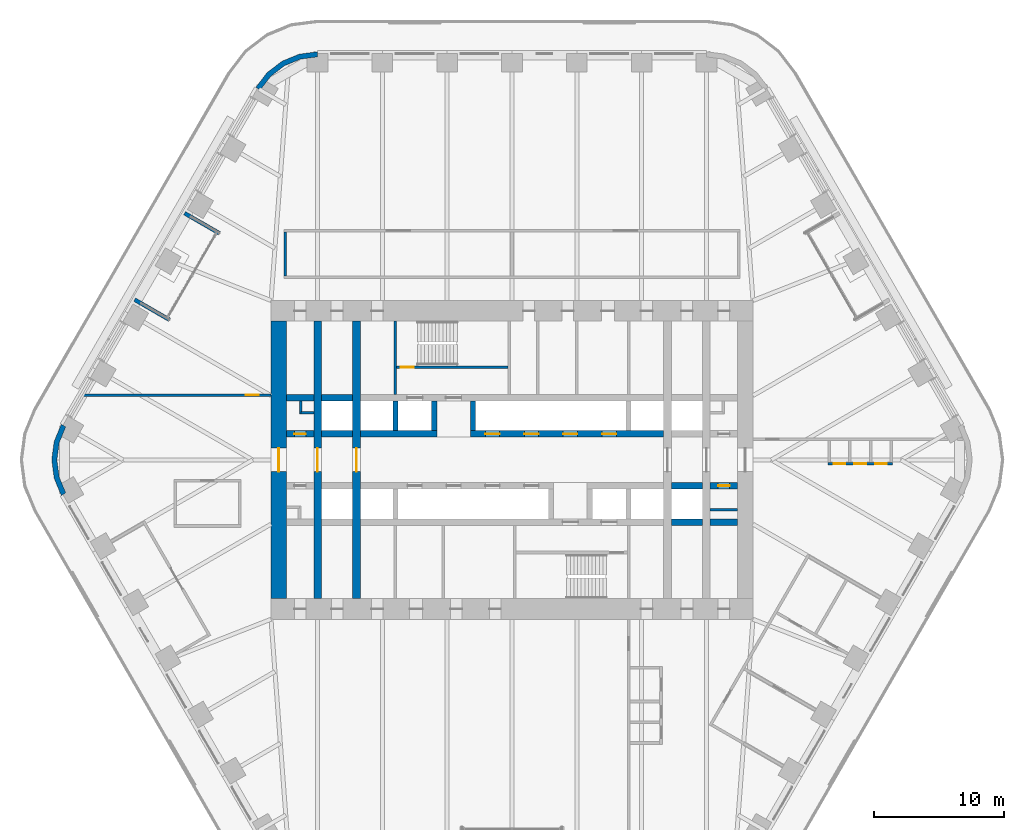
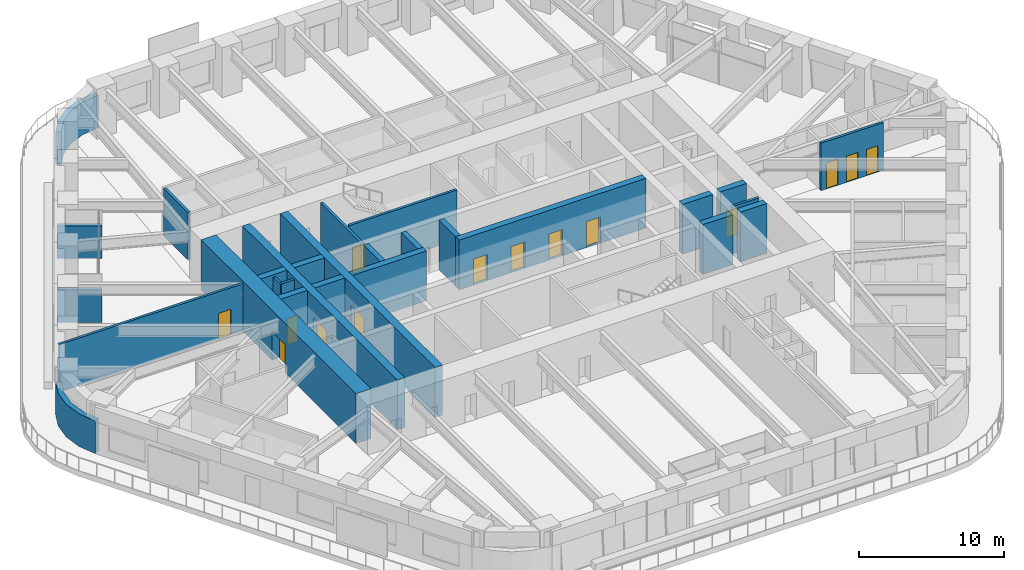
# One storey, part 19 of 24: 28 walls, 14 doors, 14 openings.
"""IFC4 building model written with IfcOpenShell, lengths in metres."""

from ifc_helpers import new_model, si_unit, direction, frame, frame_2d, origin, place, context, subcontext, project, spatial, polyline, rectangle, outline, extrude, material, layer, layer_set, type_object, element, fill, save


model = new_model("IFC4")

# Units and contexts
model_context = context("Model", 3, precision=1e-05, world=origin(), true_north=direction((0.0, 1.0)))
body_context = subcontext(model_context, "Body", "Model", "MODEL_VIEW")
ifc_project = project(units=[si_unit("LENGTHUNIT", "METRE"), si_unit("AREAUNIT", "SQUARE_METRE"), si_unit("VOLUMEUNIT", "CUBIC_METRE"), si_unit("PLANEANGLEUNIT", "RADIAN"), si_unit("MASSUNIT", "GRAM", prefix="KILO")], contexts=[model_context])

# Site, building, storey
site_placement = place(None, origin())
site = spatial("IfcSite", under=ifc_project, at=site_placement, CompositionType="ELEMENT")
building_placement = place(site_placement, origin())
building = spatial("IfcBuilding", under=site, at=building_placement, Name="Tarfa Lantern Tower", CompositionType="ELEMENT")
storey_placement = place(building_placement, frame((0.0, 0.0, 165.699951171875)))
storey = spatial("IfcBuildingStorey", under=building, at=storey_placement, Name="L37", CompositionType="ELEMENT", Elevation=165.699951171875)

# Walls
ifc_material_1 = material(Name="Limestone cladding on blockwork", Category="masonry")
ifc_layer_1 = layer(ifc_material_1, 0.300048828125)
ifc_layer_set_1 = layer_set([ifc_layer_1], Name="EW1 STONE-CLAD WALL 300")
wall_type_1 = type_object("IfcWallType", Name="EW1 STONE-CLAD WALL 300", PredefinedType="SOLIDWALL", material=ifc_layer_set_1)
wall_1_placement = place(storey_placement, frame((-25.266357421875, 19.037353515625, 0.0), z_axis=(0.0, 0.0, 1.0), x_axis=(0.86600983753, -0.500026960575, 0.0)))
element("IfcWall", 1, at=wall_1_placement, inside=storey, type_object=wall_type_1, Name="Loggia return NW 1", PredefinedType="SOLIDWALL", context=body_context, shape_type="SweptSolid", body=[
    extrude(rectangle(XDim=3.099853515625, YDim=0.300048828125, at=frame_2d((1.5498046875, 0.0))), origin(), (0.0, 0.0, 1.0), 2.75),
])
wall_2_placement = place(storey_placement, frame((-29.1201171875, 12.362548828125, 0.0), z_axis=(0.0, 0.0, 1.0), x_axis=(0.86602952684, -0.49999285859, 0.0)))
element("IfcWall", 2, at=wall_2_placement, inside=storey, type_object=wall_type_1, Name="Loggia return NW 2", PredefinedType="SOLIDWALL", context=body_context, shape_type="SweptSolid", body=[
    extrude(rectangle(XDim=3.10009765625, YDim=0.300048828125, at=frame_2d((1.550048828125, 0.0))), origin(), (0.0, 0.0, 1.0), 2.75),
])
ifc_layer_2 = layer(ifc_material_1, 0.39990234375)
ifc_layer_set_2 = layer_set([ifc_layer_2], Name="EW2 CURVED STONE CORNER 400")
wall_type_2 = type_object("IfcWallType", Name="EW2 CURVED STONE CORNER 400", PredefinedType="SOLIDWALL", material=ifc_layer_set_2)
wall_3_placement = place(storey_placement, origin())
element("IfcWall", 3, at=wall_3_placement, inside=storey, type_object=wall_type_2, Name="Stone corner N-NW", PredefinedType="SOLIDWALL", context=body_context, shape_type="SweptSolid", body=[
    extrude(outline(polyline([(-15.010986328125, 31.5), (-16.4345703125, 31.3125), (-17.760986328125, 30.76318359375), (-18.900146484375, 29.88916015625), (-19.774169921875, 28.75), (-19.427734375, 28.550048828125), (-18.617431640625, 29.606201171875), (-17.56103515625, 30.416748046875), (-16.3310546875, 30.92626953125), (-15.010986328125, 31.10009765625), (-15.010986328125, 31.5)])), origin(), (0.0, 0.0, 1.0), 2.75),
])
wall_4_placement = place(storey_placement, origin())
element("IfcWall", 4, at=wall_4_placement, inside=storey, type_object=wall_type_2, Name="Stone corner NW-SW", PredefinedType="SOLIDWALL", context=body_context, shape_type="SweptSolid", body=[
    extrude(outline(polyline([(-34.785400390625, 2.75), (-35.334716796875, 1.423583984375), (-35.522216796875, 0.0), (-35.334716796875, -1.423583984375), (-34.785400390625, -2.75), (-34.43896484375, -2.550048828125), (-34.948486328125, -1.320068359375), (-35.122314453125, 0.0), (-34.948486328125, 1.320068359375), (-34.43896484375, 2.550048828125), (-34.785400390625, 2.75)])), origin(), (0.0, 0.0, 1.0), 2.75),
])
ifc_material_2 = material(Name="Concrete blockwork", Category="masonry")
ifc_layer_3 = layer(ifc_material_2, 0.199951171875)
ifc_layer_set_3 = layer_set([ifc_layer_3], Name="IW1 BLOCKWORK PARTITION 200 EI 120")
wall_type_3 = type_object("IfcWallType", Name="IW1 BLOCKWORK PARTITION 200 EI 120", PredefinedType="PARTITIONING", material=ifc_layer_set_3)
wall_5_placement = place(storey_placement, frame((-9.0, 5.050048828125, 0.0), z_axis=(0.0, 0.0, 1.0), x_axis=(0.0, 1.0, 0.0)))
element("IfcWall", 5, at=wall_5_placement, inside=storey, type_object=wall_type_3, Name="Core partition", PredefinedType="PARTITIONING", context=body_context, shape_type="SweptSolid", body=[
    extrude(rectangle(XDim=5.64990234375, YDim=0.199951171875, at=frame_2d((2.824951171875, 0.0))), origin(), (0.0, 0.0, 1.0), 4.0),
])
for number, where, z_axis, x_axis, name in (
    (6, (-16.300048828125, 3.64990234375, 0.0), (0.0, 0.0, 1.0), (1.0, 0.0, 0.0), "Core partition"),
    (7, (-16.300048828125, 3.550048828125, 0.0), (0.0, 0.0, 1.0), (0.0, 1.0, 0.0), "Core partition"),
):
    element("IfcWall", number, at=place(storey_placement, frame(where, z_axis=z_axis, x_axis=x_axis)), inside=storey, type_object=wall_type_3, Name=name, PredefinedType="PARTITIONING", context=body_context, shape_type="SweptSolid", body=[
        extrude(rectangle(XDim=1.0, YDim=0.199951171875, at=frame_2d((0.5, 0.0))), origin(), (0.0, 0.0, 1.0), 4.0),
    ])
wall_6_placement = place(storey_placement, frame((17.39990234375, -3.85009765625, 0.0), z_axis=(0.0, 0.0, 1.0), x_axis=(-1.0, 0.0, 0.0)))
element("IfcWall", 8, at=wall_6_placement, inside=storey, type_object=wall_type_3, Name="Core partition", PredefinedType="PARTITIONING", context=body_context, shape_type="SweptSolid", body=[
    extrude(rectangle(XDim=2.099853515625, YDim=0.199951171875, at=frame_2d((1.0498046875, 0.0))), origin(), (0.0, 0.0, 1.0), 4.0),
])
ifc_material_3 = material(Name="Gypsum board on steel studs", Category="steel")
ifc_layer_4 = layer(ifc_material_3, 0.2099609375)
ifc_layer_set_4 = layer_set([ifc_layer_4], Name="IW2 ACOUSTIC PARTITION 200")
wall_type_4 = type_object("IfcWallType", Name="IW2 ACOUSTIC PARTITION 200", PredefinedType="PARTITIONING", material=ifc_layer_set_4)
wall_7_placement = place(storey_placement, frame((-17.5, 14.199951171875, 0.0), z_axis=(0.0, 0.0, 1.0), x_axis=(0.0, 1.0, 0.0)))
element("IfcWall", 9, at=wall_7_placement, inside=storey, type_object=wall_type_4, Name="Partition", PredefinedType="PARTITIONING", context=body_context, shape_type="SweptSolid", body=[
    extrude(rectangle(XDim=3.400146484375, YDim=0.199951171875, at=frame_2d((1.7001953125, 0.0))), origin(), (0.0, 0.0, 1.0), 4.0),
])

# Wall, opening, door
wall_8_placement = place(storey_placement, frame((-18.60009765625, 5.0, 0.0), z_axis=(0.0, 0.0, 1.0), x_axis=(-1.0, 0.0, 0.0)))
wall_8 = element("IfcWall", 10, at=wall_8_placement, inside=storey, type_object=wall_type_4, Name="Partition", PredefinedType="PARTITIONING", context=body_context, shape_type="SweptSolid", body=[
    extrude(rectangle(XDim=14.632080078125, YDim=0.199951171875, at=frame_2d((7.31591796875, 0.0))), origin(), (0.0, 0.0, 1.0), 4.0),
])
opening_1_placement = place(wall_8_placement, frame((0.963134765625, 0.0, 0.0)))
opening_1 = element("IfcOpeningElement", 11, at=opening_1_placement, cuts=wall_8, Name="Opening D49", PredefinedType="OPENING", context=body_context, shape_type="SweptSolid", body=[
    extrude(rectangle(XDim=1.0, YDim=2.199951171875, at=frame_2d((0.5, 1.10009765625))), frame((0.0, 0.10986328125, 0.0), z_axis=(0.0, -1.0, 0.0), x_axis=(1.0, 0.0, 0.0)), (0.0, 0.0, 1.0), 0.219970703125),
])
ifc_material_4 = material(Name="Timber door", Category="wood")
door_type_1 = type_object("IfcDoorType", Name="DR1 ROOM DOOR 1000x2200", OperationType="SINGLE_SWING_LEFT", PredefinedType="DOOR", material=ifc_material_4)
door_1_placement = place(opening_1_placement, origin())
door_1 = element("IfcDoor", 12, at=door_1_placement, inside=storey, type_object=door_type_1, Name="Zone door", OperationType="SINGLE_SWING_RIGHT", OverallHeight=2.199951171875, OverallWidth=1.0, PredefinedType="DOOR", context=body_context, shape_type="SweptSolid", body=[
    extrude(rectangle(XDim=1.0, YDim=2.199951171875, at=frame_2d((0.5, 1.10009765625))), frame((0.0, 0.02490234375, 0.0), z_axis=(0.0, -1.0, 0.0), x_axis=(1.0, 0.0, 0.0)), (0.0, 0.0, 1.0), 0.050048828125),
])
fill(opening_1, door_1)

# Wall, openings, doors
wall_9_placement = place(storey_placement, frame((24.3828125, -0.300048828125, 0.0), z_axis=(0.0, 0.0, 1.0), x_axis=(1.0, 0.0, 0.0)))
wall_9 = element("IfcWall", 13, at=wall_9_placement, inside=storey, type_object=wall_type_4, Name="Partition", PredefinedType="PARTITIONING", context=body_context, shape_type="SweptSolid", body=[
    extrude(rectangle(XDim=5.0, YDim=0.199951171875, at=frame_2d((2.5, 0.0))), origin(), (0.0, 0.0, 1.0), 4.0),
])
opening_2_placement = place(wall_9_placement, frame((0.449951171875, 0.0, 0.0)))
opening_2 = element("IfcOpeningElement", 14, at=opening_2_placement, cuts=wall_9, Name="Opening D44", PredefinedType="OPENING", context=body_context, shape_type="SweptSolid", body=[
    extrude(rectangle(XDim=0.89990234375, YDim=2.199951171875, at=frame_2d((0.449951171875, 1.10009765625))), frame((0.0, 0.10986328125, 0.0), z_axis=(0.0, -1.0, 0.0), x_axis=(1.0, 0.0, 0.0)), (0.0, 0.0, 1.0), 0.219970703125),
])
opening_3_placement = place(wall_9_placement, frame((2.050048828125, 0.0, 0.0)))
opening_3 = element("IfcOpeningElement", 15, at=opening_3_placement, cuts=wall_9, Name="Opening D45", PredefinedType="OPENING", context=body_context, shape_type="SweptSolid", body=[
    extrude(rectangle(XDim=0.89990234375, YDim=2.199951171875, at=frame_2d((0.449951171875, 1.10009765625))), frame((0.0, 0.10986328125, 0.0), z_axis=(0.0, -1.0, 0.0), x_axis=(1.0, 0.0, 0.0)), (0.0, 0.0, 1.0), 0.219970703125),
])
opening_4_placement = place(wall_9_placement, frame((3.64990234375, 0.0, 0.0)))
opening_4 = element("IfcOpeningElement", 16, at=opening_4_placement, cuts=wall_9, Name="Opening D46", PredefinedType="OPENING", context=body_context, shape_type="SweptSolid", body=[
    extrude(rectangle(XDim=0.89990234375, YDim=2.199951171875, at=frame_2d((0.449951171875, 1.10009765625))), frame((0.0, 0.10986328125, 0.0), z_axis=(0.0, -1.0, 0.0), x_axis=(1.0, 0.0, 0.0)), (0.0, 0.0, 1.0), 0.219970703125),
])
door_type_2 = type_object("IfcDoorType", Name="DR3 ROOM DOOR 900x2200", OperationType="SINGLE_SWING_LEFT", PredefinedType="DOOR", material=ifc_material_4)
door_2_placement = place(opening_2_placement, origin())
door_2 = element("IfcDoor", 17, at=door_2_placement, inside=storey, type_object=door_type_2, Name="Phone booth door", OperationType="SINGLE_SWING_RIGHT", OverallHeight=2.199951171875, OverallWidth=0.89990234375, PredefinedType="DOOR", context=body_context, shape_type="SweptSolid", body=[
    extrude(rectangle(XDim=0.89990234375, YDim=2.199951171875, at=frame_2d((0.449951171875, 1.10009765625))), frame((0.0, 0.02490234375, 0.0), z_axis=(0.0, -1.0, 0.0), x_axis=(1.0, 0.0, 0.0)), (0.0, 0.0, 1.0), 0.050048828125),
])
fill(opening_2, door_2)
door_3_placement = place(opening_3_placement, origin())
door_3 = element("IfcDoor", 18, at=door_3_placement, inside=storey, type_object=door_type_2, Name="Phone booth door", OperationType="SINGLE_SWING_RIGHT", OverallHeight=2.199951171875, OverallWidth=0.89990234375, PredefinedType="DOOR", context=body_context, shape_type="SweptSolid", body=[
    extrude(rectangle(XDim=0.89990234375, YDim=2.199951171875, at=frame_2d((0.449951171875, 1.10009765625))), frame((0.0, 0.02490234375, 0.0), z_axis=(0.0, -1.0, 0.0), x_axis=(1.0, 0.0, 0.0)), (0.0, 0.0, 1.0), 0.050048828125),
])
fill(opening_3, door_3)
door_4_placement = place(opening_4_placement, origin())
door_4 = element("IfcDoor", 19, at=door_4_placement, inside=storey, type_object=door_type_2, Name="Phone booth door", OperationType="SINGLE_SWING_LEFT", OverallHeight=2.199951171875, OverallWidth=0.89990234375, PredefinedType="DOOR", context=body_context, shape_type="SweptSolid", body=[
    extrude(rectangle(XDim=0.89990234375, YDim=2.199951171875, at=frame_2d((0.449951171875, 1.10009765625))), frame((0.0, 0.02490234375, 0.0), z_axis=(0.0, -1.0, 0.0), x_axis=(1.0, 0.0, 0.0)), (0.0, 0.0, 1.0), 0.050048828125),
])
fill(opening_4, door_4)

# Wall, opening, door
ifc_material_5 = material(Name="Concrete C80/95", Category="concrete")
ifc_layer_5 = layer(ifc_material_5, 1.199951171875)
ifc_layer_set_5 = layer_set([ifc_layer_5], Name="SW1 CORE WALL 1200")
wall_type_5 = type_object("IfcWallType", Name="SW1 CORE WALL 1200", PredefinedType="SHEAR", material=ifc_layer_set_5)
wall_10_placement = place(storey_placement, frame((-18.0, 10.699951171875, 0.0), z_axis=(0.0, 0.0, 1.0), x_axis=(0.0, -1.0, 0.0)))
wall_10 = element("IfcWall", 20, at=wall_10_placement, inside=storey, type_object=wall_type_5, Name="Core wall W", PredefinedType="SHEAR", context=body_context, shape_type="SweptSolid", body=[
    extrude(rectangle(XDim=21.39990234375, YDim=1.199951171875, at=frame_2d((10.699951171875, 0.0))), origin(), (0.0, 0.0, 1.0), 4.199951171875),
])
opening_5_placement = place(wall_10_placement, frame((9.800048828125, 0.0, 0.0)))
opening_5 = element("IfcOpeningElement", 21, at=opening_5_placement, cuts=wall_10, Name="Opening D16", PredefinedType="OPENING", context=body_context, shape_type="SweptSolid", body=[
    extrude(rectangle(XDim=1.800048828125, YDim=2.39990234375, at=frame_2d((0.89990234375, 1.199951171875))), frame((0.0, 0.60986328125, 0.0), z_axis=(0.0, -1.0, 0.0), x_axis=(1.0, 0.0, 0.0)), (0.0, 0.0, 1.0), 1.219970703125),
])
ifc_material_6 = material(Name="Steel fire door", Category="steel")
door_type_3 = type_object("IfcDoorType", Name="DL1 LOBBY DOOR 1800x2400", OperationType="DOUBLE_DOOR_SINGLE_SWING", PredefinedType="DOOR", material=ifc_material_6)
door_5_placement = place(opening_5_placement, frame((1.800048828125, 0.0, 0.0), z_axis=(0.0, 0.0, 1.0), x_axis=(-1.0, 0.0, 0.0)))
door_5 = element("IfcDoor", 22, at=door_5_placement, inside=storey, type_object=door_type_3, Name="Lift lobby door", OperationType="DOUBLE_DOOR_SINGLE_SWING", OverallHeight=2.39990234375, OverallWidth=1.800048828125, PredefinedType="DOOR", context=body_context, shape_type="SweptSolid", body=[
    extrude(rectangle(XDim=1.800048828125, YDim=2.39990234375, at=frame_2d((0.89990234375, 1.199951171875))), frame((0.0, 0.02490234375, 0.0), z_axis=(0.0, -1.0, 0.0), x_axis=(1.0, 0.0, 0.0)), (0.0, 0.0, 1.0), 0.050048828125),
])
fill(opening_5, door_5)

ifc_layer_6 = layer(ifc_material_5, 0.199951171875)
ifc_layer_set_6 = layer_set([ifc_layer_6], Name="SW12 CORE WALL 200")
wall_type_6 = type_object("IfcWallType", Name="SW12 CORE WALL 200", PredefinedType="SHEAR", material=ifc_layer_set_6)
wall_11_placement = place(storey_placement, frame((-8.89990234375, 7.14990234375, 0.0), z_axis=(0.0, 0.0, 1.0), x_axis=(1.0, 0.0, 0.0)))
wall_11 = element("IfcWall", 23, at=wall_11_placement, inside=storey, type_object=wall_type_6, Name="Core wall stair partition N", PredefinedType="SHEAR", context=body_context, shape_type="SweptSolid", body=[
    extrude(rectangle(XDim=8.599853515625, YDim=0.199951171875, at=frame_2d((4.2998046875, 0.0))), origin(), (0.0, 0.0, 1.0), 4.199951171875),
])
opening_6_placement = place(wall_11_placement, frame((0.300048828125, 0.0, 0.0)))
opening_6 = element("IfcOpeningElement", 24, at=opening_6_placement, cuts=wall_11, Name="Opening D27", PredefinedType="OPENING", context=body_context, shape_type="SweptSolid", body=[
    extrude(rectangle(XDim=1.0, YDim=2.199951171875, at=frame_2d((0.5, 1.10009765625))), frame((0.0, 0.10986328125, 0.0), z_axis=(0.0, -1.0, 0.0), x_axis=(1.0, 0.0, 0.0)), (0.0, 0.0, 1.0), 0.219970703125),
])
door_type_4 = type_object("IfcDoorType", Name="DF2 STAIR DOOR 1000x2200", OperationType="SINGLE_SWING_LEFT", PredefinedType="DOOR", material=ifc_material_6)
door_6_placement = place(opening_6_placement, origin())
door_6 = element("IfcDoor", 25, at=door_6_placement, inside=storey, type_object=door_type_4, Name="Stair door", OperationType="SINGLE_SWING_RIGHT", OverallHeight=2.199951171875, OverallWidth=1.0, PredefinedType="DOOR", context=body_context, shape_type="SweptSolid", body=[
    extrude(rectangle(XDim=1.0, YDim=2.199951171875, at=frame_2d((0.5, 1.10009765625))), frame((0.0, 0.02490234375, 0.0), z_axis=(0.0, -1.0, 0.0), x_axis=(1.0, 0.0, 0.0)), (0.0, 0.0, 1.0), 0.050048828125),
])
fill(opening_6, door_6)

ifc_layer_7 = layer(ifc_material_5, 0.5)
ifc_layer_set_7 = layer_set([ifc_layer_7], Name="SW5 CORE WALL 500")
wall_type_7 = type_object("IfcWallType", Name="SW5 CORE WALL 500", PredefinedType="SHEAR", material=ifc_layer_set_7)
wall_12_placement = place(storey_placement, frame((-17.39990234375, 2.0, 0.0), z_axis=(0.0, 0.0, 1.0), x_axis=(1.0, 0.0, 0.0)))
wall_12 = element("IfcWall", 26, at=wall_12_placement, inside=storey, type_object=wall_type_7, Name="Core wall lobby west N", PredefinedType="SHEAR", context=body_context, shape_type="SweptSolid", body=[
    extrude(rectangle(XDim=2.099853515625, YDim=0.5, at=frame_2d((1.0498046875, 0.0))), origin(), (0.0, 0.0, 1.0), 4.199951171875),
])
opening_7_placement = place(wall_12_placement, frame((0.60009765625, 0.0, 0.0)))
opening_7 = element("IfcOpeningElement", 27, at=opening_7_placement, cuts=wall_12, Name="Opening D19", PredefinedType="OPENING", context=body_context, shape_type="SweptSolid", body=[
    extrude(rectangle(XDim=0.89990234375, YDim=2.199951171875, at=frame_2d((0.449951171875, 1.10009765625))), frame((0.0, 0.260009765625, 0.0), z_axis=(0.0, -1.0, 0.0), x_axis=(1.0, 0.0, 0.0)), (0.0, 0.0, 1.0), 0.52001953125),
])
door_type_5 = type_object("IfcDoorType", Name="DF6 SERVICE ROOM DOOR 900x2200", OperationType="SINGLE_SWING_LEFT", PredefinedType="DOOR", material=ifc_material_6)
door_7_placement = place(opening_7_placement, origin())
door_7 = element("IfcDoor", 28, at=door_7_placement, inside=storey, type_object=door_type_5, Name="Service room door", OperationType="SINGLE_SWING_LEFT", OverallHeight=2.199951171875, OverallWidth=0.89990234375, PredefinedType="DOOR", context=body_context, shape_type="SweptSolid", body=[
    extrude(rectangle(XDim=0.89990234375, YDim=2.199951171875, at=frame_2d((0.449951171875, 1.10009765625))), frame((0.0, 0.02490234375, 0.0), z_axis=(0.0, -1.0, 0.0), x_axis=(1.0, 0.0, 0.0)), (0.0, 0.0, 1.0), 0.050048828125),
])
fill(opening_7, door_7)

# Walls
wall_13_placement = place(storey_placement, frame((-14.699951171875, 2.0, 0.0), z_axis=(0.0, 0.0, 1.0), x_axis=(1.0, 0.0, 0.0)))
element("IfcWall", 29, at=wall_13_placement, inside=storey, type_object=wall_type_7, Name="Core wall lobby west N", PredefinedType="SHEAR", context=body_context, shape_type="SweptSolid", body=[
    extrude(rectangle(XDim=2.39990234375, YDim=0.5, at=frame_2d((1.199951171875, 0.0))), origin(), (0.0, 0.0, 1.0), 4.199951171875),
])
wall_14_placement = place(storey_placement, frame((-11.699951171875, 2.0, 0.0), z_axis=(0.0, 0.0, 1.0), x_axis=(1.0, 0.0, 0.0)))
element("IfcWall", 30, at=wall_14_placement, inside=storey, type_object=wall_type_7, Name="Core wall lobby west N", PredefinedType="SHEAR", context=body_context, shape_type="SweptSolid", body=[
    extrude(rectangle(XDim=5.89990234375, YDim=0.5, at=frame_2d((2.949951171875, 0.0))), origin(), (0.0, 0.0, 1.0), 4.199951171875),
])

# Wall, openings, doors
wall_15_placement = place(storey_placement, frame((-3.199951171875, 2.0, 0.0), z_axis=(0.0, 0.0, 1.0), x_axis=(1.0, 0.0, 0.0)))
wall_15 = element("IfcWall", 31, at=wall_15_placement, inside=storey, type_object=wall_type_7, Name="Core wall lobby east N", PredefinedType="SHEAR", context=body_context, shape_type="SweptSolid", body=[
    extrude(rectangle(XDim=14.89990234375, YDim=0.5, at=frame_2d((7.449951171875, 0.0))), origin(), (0.0, 0.0, 1.0), 4.199951171875),
])
opening_8_placement = place(wall_15_placement, frame((1.14990234375, 0.0, 0.0)))
opening_8 = element("IfcOpeningElement", 32, at=opening_8_placement, cuts=wall_15, Name="Opening LD03", PredefinedType="OPENING", context=body_context, shape_type="SweptSolid", body=[
    extrude(rectangle(XDim=1.10009765625, YDim=2.199951171875, at=frame_2d((0.550048828125, 1.10009765625))), frame((0.0, 0.260009765625, 0.0), z_axis=(0.0, -1.0, 0.0), x_axis=(1.0, 0.0, 0.0)), (0.0, 0.0, 1.0), 0.52001953125),
])
opening_9_placement = place(wall_15_placement, frame((4.14990234375, 0.0, 0.0)))
opening_9 = element("IfcOpeningElement", 33, at=opening_9_placement, cuts=wall_15, Name="Opening LD04", PredefinedType="OPENING", context=body_context, shape_type="SweptSolid", body=[
    extrude(rectangle(XDim=1.10009765625, YDim=2.199951171875, at=frame_2d((0.550048828125, 1.10009765625))), frame((0.0, 0.260009765625, 0.0), z_axis=(0.0, -1.0, 0.0), x_axis=(1.0, 0.0, 0.0)), (0.0, 0.0, 1.0), 0.52001953125),
])
opening_10_placement = place(wall_15_placement, frame((7.14990234375, 0.0, 0.0)))
opening_10 = element("IfcOpeningElement", 34, at=opening_10_placement, cuts=wall_15, Name="Opening LD05", PredefinedType="OPENING", context=body_context, shape_type="SweptSolid", body=[
    extrude(rectangle(XDim=1.10009765625, YDim=2.199951171875, at=frame_2d((0.550048828125, 1.10009765625))), frame((0.0, 0.260009765625, 0.0), z_axis=(0.0, -1.0, 0.0), x_axis=(1.0, 0.0, 0.0)), (0.0, 0.0, 1.0), 0.52001953125),
])
opening_11_placement = place(wall_15_placement, frame((10.14990234375, 0.0, 0.0)))
opening_11 = element("IfcOpeningElement", 35, at=opening_11_placement, cuts=wall_15, Name="Opening LD06", PredefinedType="OPENING", context=body_context, shape_type="SweptSolid", body=[
    extrude(rectangle(XDim=1.10009765625, YDim=2.199951171875, at=frame_2d((0.550048828125, 1.10009765625))), frame((0.0, 0.260009765625, 0.0), z_axis=(0.0, -1.0, 0.0), x_axis=(1.0, 0.0, 0.0)), (0.0, 0.0, 1.0), 0.52001953125),
])
ifc_material_7 = material(Name="Stainless steel lift door", Category="steel")
door_type_6 = type_object("IfcDoorType", Name="LD2 LIFT LANDING DOOR 1100x2200", OperationType="SLIDING_TO_LEFT", PredefinedType="DOOR", material=ifc_material_7)
door_8_placement = place(opening_8_placement, frame((1.10009765625, 0.0, 0.0), z_axis=(0.0, 0.0, 1.0), x_axis=(-1.0, 0.0, 0.0)))
door_8 = element("IfcDoor", 36, at=door_8_placement, inside=storey, type_object=door_type_6, Name="Landing door PB1", OperationType="SLIDING_TO_LEFT", OverallHeight=2.199951171875, OverallWidth=1.10009765625, PredefinedType="DOOR", context=body_context, shape_type="SweptSolid", body=[
    extrude(rectangle(XDim=1.10009765625, YDim=2.199951171875, at=frame_2d((0.550048828125, 1.10009765625))), frame((0.0, 0.02490234375, 0.0), z_axis=(0.0, -1.0, 0.0), x_axis=(1.0, 0.0, 0.0)), (0.0, 0.0, 1.0), 0.050048828125),
])
fill(opening_8, door_8)
door_9_placement = place(opening_9_placement, frame((1.10009765625, 0.0, 0.0), z_axis=(0.0, 0.0, 1.0), x_axis=(-1.0, 0.0, 0.0)))
door_9 = element("IfcDoor", 37, at=door_9_placement, inside=storey, type_object=door_type_6, Name="Landing door PB2", OperationType="SLIDING_TO_LEFT", OverallHeight=2.199951171875, OverallWidth=1.10009765625, PredefinedType="DOOR", context=body_context, shape_type="SweptSolid", body=[
    extrude(rectangle(XDim=1.10009765625, YDim=2.199951171875, at=frame_2d((0.550048828125, 1.10009765625))), frame((0.0, 0.02490234375, 0.0), z_axis=(0.0, -1.0, 0.0), x_axis=(1.0, 0.0, 0.0)), (0.0, 0.0, 1.0), 0.050048828125),
])
fill(opening_9, door_9)
door_10_placement = place(opening_10_placement, frame((1.10009765625, 0.0, 0.0), z_axis=(0.0, 0.0, 1.0), x_axis=(-1.0, 0.0, 0.0)))
door_10 = element("IfcDoor", 38, at=door_10_placement, inside=storey, type_object=door_type_6, Name="Landing door PB3", OperationType="SLIDING_TO_LEFT", OverallHeight=2.199951171875, OverallWidth=1.10009765625, PredefinedType="DOOR", context=body_context, shape_type="SweptSolid", body=[
    extrude(rectangle(XDim=1.10009765625, YDim=2.199951171875, at=frame_2d((0.550048828125, 1.10009765625))), frame((0.0, 0.02490234375, 0.0), z_axis=(0.0, -1.0, 0.0), x_axis=(1.0, 0.0, 0.0)), (0.0, 0.0, 1.0), 0.050048828125),
])
fill(opening_10, door_10)
door_11_placement = place(opening_11_placement, frame((1.10009765625, 0.0, 0.0), z_axis=(0.0, 0.0, 1.0), x_axis=(-1.0, 0.0, 0.0)))
door_11 = element("IfcDoor", 39, at=door_11_placement, inside=storey, type_object=door_type_6, Name="Landing door PB4", OperationType="SLIDING_TO_LEFT", OverallHeight=2.199951171875, OverallWidth=1.10009765625, PredefinedType="DOOR", context=body_context, shape_type="SweptSolid", body=[
    extrude(rectangle(XDim=1.10009765625, YDim=2.199951171875, at=frame_2d((0.550048828125, 1.10009765625))), frame((0.0, 0.02490234375, 0.0), z_axis=(0.0, -1.0, 0.0), x_axis=(1.0, 0.0, 0.0)), (0.0, 0.0, 1.0), 0.050048828125),
])
fill(opening_11, door_11)

# Walls
wall_16_placement = place(storey_placement, frame((-17.39990234375, 4.800048828125, 0.0), z_axis=(0.0, 0.0, 1.0), x_axis=(1.0, 0.0, 0.0)))
element("IfcWall", 40, at=wall_16_placement, inside=storey, type_object=wall_type_7, Name="Core wall rear N", PredefinedType="SHEAR", context=body_context, shape_type="SweptSolid", body=[
    extrude(rectangle(XDim=2.099853515625, YDim=0.5, at=frame_2d((1.0498046875, 0.0))), origin(), (0.0, 0.0, 1.0), 4.199951171875),
])
wall_17_placement = place(storey_placement, frame((-14.699951171875, 4.800048828125, 0.0), z_axis=(0.0, 0.0, 1.0), x_axis=(1.0, 0.0, 0.0)))
element("IfcWall", 41, at=wall_17_placement, inside=storey, type_object=wall_type_7, Name="Core wall rear N", PredefinedType="SHEAR", context=body_context, shape_type="SweptSolid", body=[
    extrude(rectangle(XDim=2.39990234375, YDim=0.5, at=frame_2d((1.199951171875, 0.0))), origin(), (0.0, 0.0, 1.0), 4.199951171875),
])

# Wall, opening, door
wall_18_placement = place(storey_placement, frame((17.39990234375, -2.0, 0.0), z_axis=(0.0, 0.0, 1.0), x_axis=(-1.0, 0.0, 0.0)))
wall_18 = element("IfcWall", 42, at=wall_18_placement, inside=storey, type_object=wall_type_7, Name="Core wall lobby west S", PredefinedType="SHEAR", context=body_context, shape_type="SweptSolid", body=[
    extrude(rectangle(XDim=2.099853515625, YDim=0.5, at=frame_2d((1.0498046875, 0.0))), origin(), (0.0, 0.0, 1.0), 4.199951171875),
])
opening_12_placement = place(wall_18_placement, frame((0.60009765625, 0.0, 0.0)))
opening_12 = element("IfcOpeningElement", 43, at=opening_12_placement, cuts=wall_18, Name="Opening D20", PredefinedType="OPENING", context=body_context, shape_type="SweptSolid", body=[
    extrude(rectangle(XDim=0.89990234375, YDim=2.199951171875, at=frame_2d((0.449951171875, 1.10009765625))), frame((0.0, 0.260009765625, 0.0), z_axis=(0.0, -1.0, 0.0), x_axis=(1.0, 0.0, 0.0)), (0.0, 0.0, 1.0), 0.52001953125),
])
door_12_placement = place(opening_12_placement, origin())
door_12 = element("IfcDoor", 44, at=door_12_placement, inside=storey, type_object=door_type_5, Name="Service room door", OperationType="SINGLE_SWING_LEFT", OverallHeight=2.199951171875, OverallWidth=0.89990234375, PredefinedType="DOOR", context=body_context, shape_type="SweptSolid", body=[
    extrude(rectangle(XDim=0.89990234375, YDim=2.199951171875, at=frame_2d((0.449951171875, 1.10009765625))), frame((0.0, 0.02490234375, 0.0), z_axis=(0.0, -1.0, 0.0), x_axis=(1.0, 0.0, 0.0)), (0.0, 0.0, 1.0), 0.050048828125),
])
fill(opening_12, door_12)

# Walls
wall_19_placement = place(storey_placement, frame((14.699951171875, -2.0, 0.0), z_axis=(0.0, 0.0, 1.0), x_axis=(-1.0, 0.0, 0.0)))
element("IfcWall", 45, at=wall_19_placement, inside=storey, type_object=wall_type_7, Name="Core wall lobby west S", PredefinedType="SHEAR", context=body_context, shape_type="SweptSolid", body=[
    extrude(rectangle(XDim=2.39990234375, YDim=0.5, at=frame_2d((1.199951171875, 0.0))), origin(), (0.0, 0.0, 1.0), 4.199951171875),
])
wall_20_placement = place(storey_placement, frame((17.39990234375, -4.800048828125, 0.0), z_axis=(0.0, 0.0, 1.0), x_axis=(-1.0, 0.0, 0.0)))
element("IfcWall", 46, at=wall_20_placement, inside=storey, type_object=wall_type_7, Name="Core wall rear S", PredefinedType="SHEAR", context=body_context, shape_type="SweptSolid", body=[
    extrude(rectangle(XDim=2.099853515625, YDim=0.5, at=frame_2d((1.0498046875, 0.0))), origin(), (0.0, 0.0, 1.0), 4.199951171875),
])
wall_21_placement = place(storey_placement, frame((14.699951171875, -4.800048828125, 0.0), z_axis=(0.0, 0.0, 1.0), x_axis=(-1.0, 0.0, 0.0)))
element("IfcWall", 47, at=wall_21_placement, inside=storey, type_object=wall_type_7, Name="Core wall rear S", PredefinedType="SHEAR", context=body_context, shape_type="SweptSolid", body=[
    extrude(rectangle(XDim=2.39990234375, YDim=0.5, at=frame_2d((1.199951171875, 0.0))), origin(), (0.0, 0.0, 1.0), 4.199951171875),
])
ifc_layer_8 = layer(ifc_material_5, 0.39990234375)
ifc_layer_set_8 = layer_set([ifc_layer_8], Name="SW6 CORE WALL 400")
wall_type_8 = type_object("IfcWallType", Name="SW6 CORE WALL 400", PredefinedType="SHEAR", material=ifc_layer_set_8)
for number, where, z_axis, x_axis, name in (
    (48, (-9.0, 2.25, 0.0), (0.0, 0.0, 1.0), (0.0, 1.0, 0.0), "Core wall divider N"),
    (49, (-6.0, 2.25, 0.0), (0.0, 0.0, 1.0), (0.0, 1.0, 0.0), "Core wall divider N"),
    (50, (-3.0, 2.25, 0.0), (0.0, 0.0, 1.0), (0.0, 1.0, 0.0), "Core wall divider N"),
):
    element("IfcWall", number, at=place(storey_placement, frame(where, z_axis=z_axis, x_axis=x_axis)), inside=storey, type_object=wall_type_8, Name=name, PredefinedType="SHEAR", context=body_context, shape_type="SweptSolid", body=[
        extrude(rectangle(XDim=2.300048828125, YDim=0.39990234375, at=frame_2d((1.14990234375, 0.0))), origin(), (0.0, 0.0, 1.0), 4.199951171875),
    ])

# Wall, opening, door
ifc_layer_9 = layer(ifc_material_5, 0.60009765625)
ifc_layer_set_9 = layer_set([ifc_layer_9], Name="SW9 CORE WALL 600")
wall_type_9 = type_object("IfcWallType", Name="SW9 CORE WALL 600", PredefinedType="SHEAR", material=ifc_layer_set_9)
wall_22_placement = place(storey_placement, frame((-12.0, -10.699951171875, 0.0), z_axis=(0.0, 0.0, 1.0), x_axis=(0.0, 1.0, 0.0)))
wall_22 = element("IfcWall", 51, at=wall_22_placement, inside=storey, type_object=wall_type_9, Name="Core wall cross 12 m west", PredefinedType="SHEAR", context=body_context, shape_type="SweptSolid", body=[
    extrude(rectangle(XDim=21.39990234375, YDim=0.60009765625, at=frame_2d((10.699951171875, 0.0))), origin(), (0.0, 0.0, 1.0), 4.199951171875),
])
opening_13_placement = place(wall_22_placement, frame((9.800048828125, 0.0, 0.0)))
opening_13 = element("IfcOpeningElement", 52, at=opening_13_placement, cuts=wall_22, Name="Opening D31", PredefinedType="OPENING", context=body_context, shape_type="SweptSolid", body=[
    extrude(rectangle(XDim=1.800048828125, YDim=2.39990234375, at=frame_2d((0.89990234375, 1.199951171875))), frame((0.0, 0.31005859375, 0.0), z_axis=(0.0, -1.0, 0.0), x_axis=(1.0, 0.0, 0.0)), (0.0, 0.0, 1.0), 0.6201171875),
])
door_13_placement = place(opening_13_placement, origin())
door_13 = element("IfcDoor", 53, at=door_13_placement, inside=storey, type_object=door_type_3, Name="Lift lobby door", OperationType="DOUBLE_DOOR_SINGLE_SWING", OverallHeight=2.39990234375, OverallWidth=1.800048828125, PredefinedType="DOOR", context=body_context, shape_type="SweptSolid", body=[
    extrude(rectangle(XDim=1.800048828125, YDim=2.39990234375, at=frame_2d((0.89990234375, 1.199951171875))), frame((0.0, 0.02490234375, 0.0), z_axis=(0.0, -1.0, 0.0), x_axis=(1.0, 0.0, 0.0)), (0.0, 0.0, 1.0), 0.050048828125),
])
fill(opening_13, door_13)

wall_23_placement = place(storey_placement, frame((-15.0, -10.699951171875, 0.0), z_axis=(0.0, 0.0, 1.0), x_axis=(0.0, 1.0, 0.0)))
wall_23 = element("IfcWall", 54, at=wall_23_placement, inside=storey, type_object=wall_type_9, Name="Core wall cross 15 m west", PredefinedType="SHEAR", context=body_context, shape_type="SweptSolid", body=[
    extrude(rectangle(XDim=21.39990234375, YDim=0.60009765625, at=frame_2d((10.699951171875, 0.0))), origin(), (0.0, 0.0, 1.0), 4.199951171875),
])
opening_14_placement = place(wall_23_placement, frame((9.800048828125, 0.0, 0.0)))
opening_14 = element("IfcOpeningElement", 55, at=opening_14_placement, cuts=wall_23, Name="Opening D32", PredefinedType="OPENING", context=body_context, shape_type="SweptSolid", body=[
    extrude(rectangle(XDim=1.800048828125, YDim=2.39990234375, at=frame_2d((0.89990234375, 1.199951171875))), frame((0.0, 0.31005859375, 0.0), z_axis=(0.0, -1.0, 0.0), x_axis=(1.0, 0.0, 0.0)), (0.0, 0.0, 1.0), 0.6201171875),
])
door_14_placement = place(opening_14_placement, origin())
door_14 = element("IfcDoor", 56, at=door_14_placement, inside=storey, type_object=door_type_3, Name="Lift lobby door", OperationType="DOUBLE_DOOR_SINGLE_SWING", OverallHeight=2.39990234375, OverallWidth=1.800048828125, PredefinedType="DOOR", context=body_context, shape_type="SweptSolid", body=[
    extrude(rectangle(XDim=1.800048828125, YDim=2.39990234375, at=frame_2d((0.89990234375, 1.199951171875))), frame((0.0, 0.02490234375, 0.0), z_axis=(0.0, -1.0, 0.0), x_axis=(1.0, 0.0, 0.0)), (0.0, 0.0, 1.0), 0.050048828125),
])
fill(opening_14, door_14)

save(model, "model.ifc")
